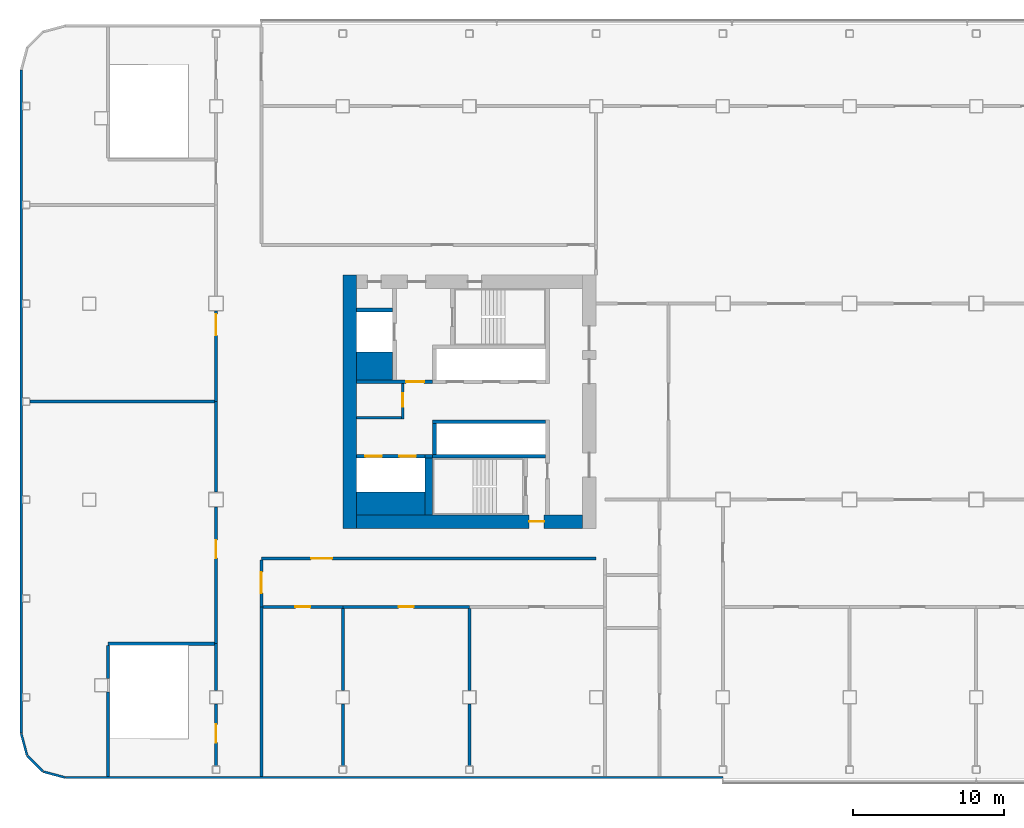
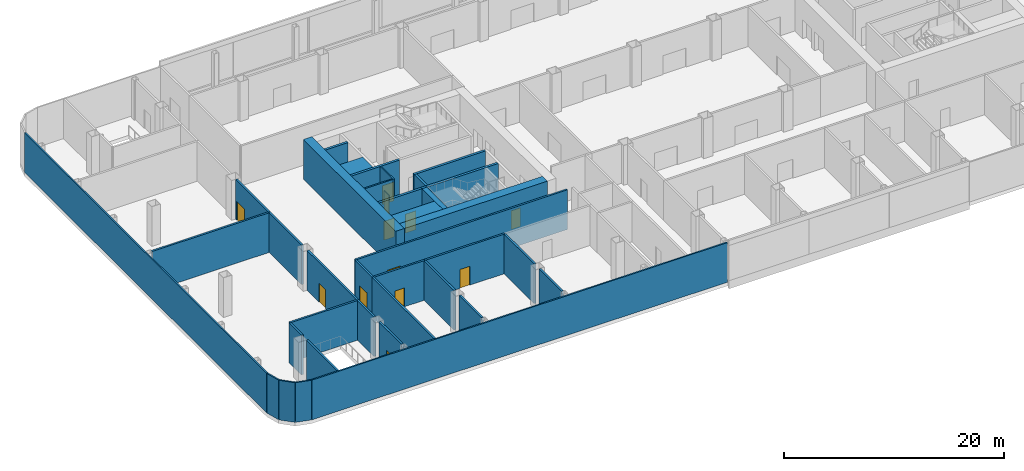
# One storey, part 18 of 53: 37 walls, 12 doors, 12 openings.
"""IFC4 building model written with IfcOpenShell, lengths in metres."""

from ifc_helpers import new_model, si_unit, direction, frame, frame_2d, origin, place, context, subcontext, project, spatial, rectangle, extrude, material, layer, layer_set, type_object, element, fill, save


model = new_model("IFC4")

# Units and contexts
model_context = context("Model", 3, precision=1e-05, world=origin(), true_north=direction((0.0, 1.0)))
body_context = subcontext(model_context, "Body", "Model", "MODEL_VIEW")
ifc_project = project(units=[si_unit("LENGTHUNIT", "METRE"), si_unit("AREAUNIT", "SQUARE_METRE"), si_unit("VOLUMEUNIT", "CUBIC_METRE"), si_unit("PLANEANGLEUNIT", "RADIAN"), si_unit("MASSUNIT", "GRAM", prefix="KILO")], contexts=[model_context])

# Site, building, storey
site_placement = place(None, origin())
site = spatial("IfcSite", under=ifc_project, at=site_placement, CompositionType="ELEMENT")
building_placement = place(site_placement, origin())
building = spatial("IfcBuilding", under=site, at=building_placement, Name="Hakoniwa Tower and Hamabe Station Hall", CompositionType="ELEMENT")
storey_placement = place(building_placement, frame((0.0, 0.0, 15.0)))
storey = spatial("IfcBuildingStorey", under=building, at=storey_placement, Name="L03", CompositionType="ELEMENT", Elevation=15.0)

# Wall, opening, door
ifc_material_1 = material(Name="Gypsum board partition")
ifc_layer_1 = layer(ifc_material_1, 0.14990234375)
ifc_layer_set_1 = layer_set([ifc_layer_1], Name="CORE PARTITION 150 EI 60")
wall_type_1 = type_object("IfcWallType", Name="CORE PARTITION 150 EI 60", PredefinedType="PARTITIONING", material=ifc_layer_set_1)
wall_1_placement = place(storey_placement, frame((-29.625, -1.14990234375, 0.0), z_axis=(0.0, 0.0, 1.0), x_axis=(0.0, 1.0, 0.0)))
wall_1 = element("IfcWall", 1, at=wall_1_placement, inside=storey, type_object=wall_type_1, Name="Core partition PW0 west", PredefinedType="PARTITIONING", context=body_context, shape_type="SweptSolid", body=[
    extrude(rectangle(XDim=2.349853515625, YDim=0.14990234375, at=frame_2d((1.1748046875, 0.0))), origin(), (0.0, 0.0, 1.0), 4.39990234375),
])
opening_1_placement = place(wall_1_placement, frame((0.800048828125, 0.0, 0.0)))
opening_1 = element("IfcOpeningElement", 2, at=opening_1_placement, cuts=wall_1, Name="Opening CD-W-RM1-9", PredefinedType="OPENING", context=body_context, shape_type="SweptSolid", body=[
    extrude(rectangle(XDim=0.89990234375, YDim=2.10009765625, at=frame_2d((0.449951171875, 1.050048828125))), frame((0.0, 0.0849609375, 0.0), z_axis=(0.0, -1.0, 0.0), x_axis=(1.0, 0.0, 0.0)), (0.0, 0.0, 1.0), 0.169921875),
])
ifc_material_2 = material(Name="Steel fire door", Category="steel")
door_type_1 = type_object("IfcDoorType", Name="CORE DOOR 900 FD30", OperationType="NOTDEFINED", PredefinedType="DOOR", material=ifc_material_2)
door_1_placement = place(opening_1_placement, origin())
door_1 = element("IfcDoor", 3, at=door_1_placement, inside=storey, type_object=door_type_1, Name="Store room door", OperationType="SINGLE_SWING_RIGHT", OverallHeight=2.10009765625, OverallWidth=0.89990234375, PredefinedType="DOOR", context=body_context, shape_type="SweptSolid", body=[
    extrude(rectangle(XDim=0.89990234375, YDim=2.10009765625, at=frame_2d((0.449951171875, 1.050048828125))), frame((0.0, 0.02490234375, 0.0), z_axis=(0.0, -1.0, 0.0), x_axis=(1.0, 0.0, 0.0)), (0.0, 0.0, 1.0), 0.050048828125),
])
fill(opening_1, door_1)

# Walls
wall_2_placement = place(storey_placement, frame((-32.699951171875, -1.074951171875, 0.0), z_axis=(0.0, 0.0, 1.0), x_axis=(1.0, 0.0, 0.0)))
element("IfcWall", 4, at=wall_2_placement, inside=storey, type_object=wall_type_1, Name="Core partition PS west", PredefinedType="PARTITIONING", context=body_context, shape_type="SweptSolid", body=[
    extrude(rectangle(XDim=3.0, YDim=0.14990234375, at=frame_2d((1.5, 0.0))), origin(), (0.0, 0.0, 1.0), 4.39990234375),
])
ifc_material_3 = material(Name="Concrete C80", Category="concrete")
ifc_layer_2 = layer(ifc_material_3, 0.89990234375)
ifc_layer_set_2 = layer_set([ifc_layer_2], Name="CORE WALL 900 C80")
wall_type_2 = type_object("IfcWallType", Name="CORE WALL 900 C80", PredefinedType="SHEAR", material=ifc_layer_set_2)
wall_3_placement = place(storey_placement, frame((-33.14990234375, -8.39990234375, 0.0), z_axis=(0.0, 0.0, 1.0), x_axis=(0.0, 1.0, 0.0)))
element("IfcWall", 5, at=wall_3_placement, inside=storey, type_object=wall_type_2, Name="Core wall OUTER west", PredefinedType="SHEAR", context=body_context, shape_type="SweptSolid", body=[
    extrude(rectangle(XDim=16.7998046875, YDim=0.89990234375, at=frame_2d((8.39990234375, 0.0))), origin(), (0.0, 0.0, 1.0), 4.39990234375),
])

# Wall, opening, door
wall_4_placement = place(storey_placement, frame((-32.699951171875, -7.949951171875, 0.0), z_axis=(0.0, 0.0, 1.0), x_axis=(1.0, 0.0, 0.0)))
wall_4 = element("IfcWall", 6, at=wall_4_placement, inside=storey, type_object=wall_type_2, Name="Core wall SOUTH west", PredefinedType="SHEAR", context=body_context, shape_type="SweptSolid", body=[
    extrude(rectangle(XDim=15.0, YDim=0.89990234375, at=frame_2d((7.5, 0.0))), origin(), (0.0, 0.0, 1.0), 4.39990234375),
])
opening_2_placement = place(wall_4_placement, frame((11.449951171875, 0.0, 0.0)))
opening_2 = element("IfcOpeningElement", 7, at=opening_2_placement, cuts=wall_4, Name="Opening CD-W-FS3-10", PredefinedType="OPENING", context=body_context, shape_type="SweptSolid", body=[
    extrude(rectangle(XDim=1.0, YDim=2.10009765625, at=frame_2d((0.5, 1.050048828125))), frame((0.0, 0.4599609375, 0.0), z_axis=(0.0, -1.0, 0.0), x_axis=(1.0, 0.0, 0.0)), (0.0, 0.0, 1.0), 0.919921875),
])
ifc_material_4 = material(Name="Steel fire door", Category="steel")
door_type_2 = type_object("IfcDoorType", Name="CORE DOOR 1000 FD60", OperationType="NOTDEFINED", PredefinedType="DOOR", material=ifc_material_4)
door_2_placement = place(opening_2_placement, origin())
door_2 = element("IfcDoor", 8, at=door_2_placement, inside=storey, type_object=door_type_2, Name="Stair vestibule door", OperationType="SINGLE_SWING_RIGHT", OverallHeight=2.10009765625, OverallWidth=1.0, PredefinedType="DOOR", context=body_context, shape_type="SweptSolid", body=[
    extrude(rectangle(XDim=1.0, YDim=2.10009765625, at=frame_2d((0.5, 1.050048828125))), frame((0.0, 0.02490234375, 0.0), z_axis=(0.0, -1.0, 0.0), x_axis=(1.0, 0.0, 0.0)), (0.0, 0.0, 1.0), 0.050048828125),
])
fill(opening_2, door_2)

# Walls
ifc_material_5 = material(Name="Concrete C80", Category="concrete")
ifc_layer_3 = layer(ifc_material_5, 1.5)
ifc_layer_set_3 = layer_set([ifc_layer_3], Name="CORE WEB WALL 1500 C80")
wall_type_3 = type_object("IfcWallType", Name="CORE WEB WALL 1500 C80", PredefinedType="SHEAR", material=ifc_layer_set_3)
wall_5_placement = place(storey_placement, frame((-32.699951171875, -6.75, 0.0), z_axis=(0.0, 0.0, 1.0), x_axis=(1.0, 0.0, 0.0)))
element("IfcWall", 9, at=wall_5_placement, inside=storey, type_object=wall_type_3, Name="Core wall SER west", PredefinedType="SHEAR", context=body_context, shape_type="SweptSolid", body=[
    extrude(rectangle(XDim=4.550048828125, YDim=1.5, at=frame_2d((2.27490234375, 0.0))), origin(), (0.0, 0.0, 1.0), 4.39990234375),
])
ifc_material_6 = material(Name="Concrete C80", Category="concrete")
ifc_layer_4 = layer(ifc_material_6, 1.85009765625)
ifc_layer_set_4 = layer_set([ifc_layer_4], Name="CORE WEB WALL 1850 C80")
wall_type_4 = type_object("IfcWallType", Name="CORE WEB WALL 1850 C80", PredefinedType="SHEAR", material=ifc_layer_set_4)
wall_6_placement = place(storey_placement, frame((-32.699951171875, 2.375, 0.0), z_axis=(0.0, 0.0, 1.0), x_axis=(1.0, 0.0, 0.0)))
element("IfcWall", 10, at=wall_6_placement, inside=storey, type_object=wall_type_4, Name="Core wall CA west", PredefinedType="SHEAR", context=body_context, shape_type="SweptSolid", body=[
    extrude(rectangle(XDim=2.39990234375, YDim=1.85009765625, at=frame_2d((1.199951171875, 0.0))), origin(), (0.0, 0.0, 1.0), 4.39990234375),
])

# Wall, opening, door
ifc_material_7 = material(Name="Concrete C80", Category="concrete")
ifc_layer_5 = layer(ifc_material_7, 0.25)
ifc_layer_set_5 = layer_set([ifc_layer_5], Name="CORE WEB WALL 250 C80")
wall_type_5 = type_object("IfcWallType", Name="CORE WEB WALL 250 C80", PredefinedType="SHEAR", material=ifc_layer_set_5)
wall_7_placement = place(storey_placement, frame((-32.699951171875, 1.324951171875, 0.0), z_axis=(0.0, 0.0, 1.0), x_axis=(1.0, 0.0, 0.0)))
wall_7 = element("IfcWall", 11, at=wall_7_placement, inside=storey, type_object=wall_type_5, Name="Core wall ELN west", PredefinedType="SHEAR", context=body_context, shape_type="SweptSolid", body=[
    extrude(rectangle(XDim=5.050048828125, YDim=0.25, at=frame_2d((2.52490234375, 0.0))), origin(), (0.0, 0.0, 1.0), 4.39990234375),
])
opening_3_placement = place(wall_7_placement, frame((3.300048828125, 0.0, 0.0)))
opening_3 = element("IfcOpeningElement", 12, at=opening_3_placement, cuts=wall_7, Name="Opening CD-W-FL-12", PredefinedType="OPENING", context=body_context, shape_type="SweptSolid", body=[
    extrude(rectangle(XDim=1.199951171875, YDim=2.10009765625, at=frame_2d((0.60009765625, 1.050048828125))), frame((0.0, 0.135009765625, 0.0), z_axis=(0.0, -1.0, 0.0), x_axis=(1.0, 0.0, 0.0)), (0.0, 0.0, 1.0), 0.27001953125),
])
ifc_material_8 = material(Name="Steel fire door", Category="steel")
door_type_3 = type_object("IfcDoorType", Name="CORE DOOR 1200 FD60", OperationType="DOUBLE_DOOR_SINGLE_SWING", PredefinedType="DOOR", material=ifc_material_8)
door_3_placement = place(opening_3_placement, origin())
door_3 = element("IfcDoor", 13, at=door_3_placement, inside=storey, type_object=door_type_3, Name="Stair vestibule door to the fire-fighting lobby", OperationType="DOUBLE_DOOR_SINGLE_SWING", OverallHeight=2.10009765625, OverallWidth=1.199951171875, PredefinedType="DOOR", context=body_context, shape_type="SweptSolid", body=[
    extrude(rectangle(XDim=1.199951171875, YDim=2.10009765625, at=frame_2d((0.60009765625, 1.050048828125))), frame((0.0, 0.02490234375, 0.0), z_axis=(0.0, -1.0, 0.0), x_axis=(1.0, 0.0, 0.0)), (0.0, 0.0, 1.0), 0.050048828125),
])
fill(opening_3, door_3)

# Walls
wall_8_placement = place(storey_placement, frame((-32.699951171875, 6.074951171875, 0.0), z_axis=(0.0, 0.0, 1.0), x_axis=(1.0, 0.0, 0.0)))
element("IfcWall", 14, at=wall_8_placement, inside=storey, type_object=wall_type_5, Name="Core wall C2 west", PredefinedType="SHEAR", context=body_context, shape_type="SweptSolid", body=[
    extrude(rectangle(XDim=2.39990234375, YDim=0.25, at=frame_2d((1.199951171875, 0.0))), origin(), (0.0, 0.0, 1.0), 4.39990234375),
])
wall_9_placement = place(storey_placement, frame((-27.64990234375, -1.324951171875, 0.0), z_axis=(0.0, 0.0, 1.0), x_axis=(1.0, 0.0, 0.0)))
element("IfcWall", 15, at=wall_9_placement, inside=storey, type_object=wall_type_5, Name="Core wall SF west", PredefinedType="SHEAR", context=body_context, shape_type="SweptSolid", body=[
    extrude(rectangle(XDim=7.5, YDim=0.25, at=frame_2d((3.75, 0.0))), origin(), (0.0, 0.0, 1.0), 4.39990234375),
])
wall_10_placement = place(storey_placement, frame((-27.52490234375, -3.5, 0.0), z_axis=(0.0, 0.0, 1.0), x_axis=(0.0, 1.0, 0.0)))
element("IfcWall", 16, at=wall_10_placement, inside=storey, type_object=wall_type_5, Name="Core wall SE west", PredefinedType="SHEAR", context=body_context, shape_type="SweptSolid", body=[
    extrude(rectangle(XDim=2.050048828125, YDim=0.25, at=frame_2d((1.02490234375, 0.0))), origin(), (0.0, 0.0, 1.0), 4.39990234375),
])
wall_11_placement = place(storey_placement, frame((-27.64990234375, -3.625, 0.0), z_axis=(0.0, 0.0, 1.0), x_axis=(1.0, 0.0, 0.0)))
element("IfcWall", 17, at=wall_11_placement, inside=storey, type_object=wall_type_5, Name="Core wall SR west", PredefinedType="SHEAR", context=body_context, shape_type="SweptSolid", body=[
    extrude(rectangle(XDim=7.5, YDim=0.25, at=frame_2d((3.75, 0.0))), origin(), (0.0, 0.0, 1.0), 4.39990234375),
])

# Wall, openings, doors
wall_12_placement = place(storey_placement, frame((-32.699951171875, -3.625, 0.0), z_axis=(0.0, 0.0, 1.0), x_axis=(1.0, 0.0, 0.0)))
wall_12 = element("IfcWall", 18, at=wall_12_placement, inside=storey, type_object=wall_type_5, Name="Core wall SEF west", PredefinedType="SHEAR", context=body_context, shape_type="SweptSolid", body=[
    extrude(rectangle(XDim=4.550048828125, YDim=0.25, at=frame_2d((2.27490234375, 0.0))), origin(), (0.0, 0.0, 1.0), 4.39990234375),
])
opening_4_placement = place(wall_12_placement, frame((2.85009765625, 0.0, 0.0)))
opening_4 = element("IfcOpeningElement", 19, at=opening_4_placement, cuts=wall_12, Name="Opening LD-SV1", PredefinedType="OPENING", context=body_context, shape_type="SweptSolid", body=[
    extrude(rectangle(XDim=1.10009765625, YDim=2.10009765625, at=frame_2d((0.550048828125, 1.050048828125))), frame((0.0, 0.135009765625, 0.0), z_axis=(0.0, -1.0, 0.0), x_axis=(1.0, 0.0, 0.0)), (0.0, 0.0, 1.0), 0.27001953125),
])
opening_5_placement = place(wall_12_placement, frame((0.60009765625, 0.0, 0.0)))
opening_5 = element("IfcOpeningElement", 20, at=opening_5_placement, cuts=wall_12, Name="Opening LD-SV2", PredefinedType="OPENING", context=body_context, shape_type="SweptSolid", body=[
    extrude(rectangle(XDim=1.10009765625, YDim=2.10009765625, at=frame_2d((0.550048828125, 1.050048828125))), frame((0.0, 0.135009765625, 0.0), z_axis=(0.0, -1.0, 0.0), x_axis=(1.0, 0.0, 0.0)), (0.0, 0.0, 1.0), 0.27001953125),
])
ifc_material_9 = material(Name="Stainless steel SUS304", Category="steel")
door_type_4 = type_object("IfcDoorType", Name="LIFT LANDING DOOR 1100 FD60", OperationType="DOUBLE_DOOR_SLIDING", PredefinedType="DOOR", material=ifc_material_9)
door_4_placement = place(opening_4_placement, origin())
door_4 = element("IfcDoor", 21, at=door_4_placement, inside=storey, type_object=door_type_4, Name="Lift landing door SV1 L03", OperationType="DOUBLE_DOOR_SLIDING", OverallHeight=2.10009765625, OverallWidth=1.10009765625, PredefinedType="DOOR", context=body_context, shape_type="SweptSolid", body=[
    extrude(rectangle(XDim=1.10009765625, YDim=2.10009765625, at=frame_2d((0.550048828125, 1.050048828125))), frame((0.0, 0.02490234375, 0.0), z_axis=(0.0, -1.0, 0.0), x_axis=(1.0, 0.0, 0.0)), (0.0, 0.0, 1.0), 0.050048828125),
])
fill(opening_4, door_4)
door_5_placement = place(opening_5_placement, origin())
door_5 = element("IfcDoor", 22, at=door_5_placement, inside=storey, type_object=door_type_4, Name="Lift landing door SV2 L03", OperationType="DOUBLE_DOOR_SLIDING", OverallHeight=2.10009765625, OverallWidth=1.10009765625, PredefinedType="DOOR", context=body_context, shape_type="SweptSolid", body=[
    extrude(rectangle(XDim=1.10009765625, YDim=2.10009765625, at=frame_2d((0.550048828125, 1.050048828125))), frame((0.0, 0.02490234375, 0.0), z_axis=(0.0, -1.0, 0.0), x_axis=(1.0, 0.0, 0.0)), (0.0, 0.0, 1.0), 0.050048828125),
])
fill(opening_5, door_5)

# Walls
wall_13_placement = place(storey_placement, frame((-28.14990234375, -3.625, 0.0), z_axis=(0.0, 0.0, 1.0), x_axis=(1.0, 0.0, 0.0)))
element("IfcWall", 23, at=wall_13_placement, inside=storey, type_object=wall_type_5, Name="Core wall SRK west", PredefinedType="SHEAR", context=body_context, shape_type="SweptSolid", body=[
    extrude(rectangle(XDim=0.5, YDim=0.25, at=frame_2d((0.25, 0.0))), origin(), (0.0, 0.0, 1.0), 4.39990234375),
])
ifc_material_10 = material(Name="Concrete C80", Category="concrete")
ifc_layer_6 = layer(ifc_material_10, 0.5)
ifc_layer_set_6 = layer_set([ifc_layer_6], Name="CORE WEB WALL 500 C80")
wall_type_6 = type_object("IfcWallType", Name="CORE WEB WALL 500 C80", PredefinedType="SHEAR", material=ifc_layer_set_6)
wall_14_placement = place(storey_placement, frame((-27.89990234375, -7.5, 0.0), z_axis=(0.0, 0.0, 1.0), x_axis=(0.0, 1.0, 0.0)))
element("IfcWall", 24, at=wall_14_placement, inside=storey, type_object=wall_type_6, Name="Core wall SSE west", PredefinedType="SHEAR", context=body_context, shape_type="SweptSolid", body=[
    extrude(rectangle(XDim=3.75, YDim=0.5, at=frame_2d((1.875, 0.0))), origin(), (0.0, 0.0, 1.0), 4.39990234375),
])
ifc_material_11 = material(Name="Dark glass-faced aluminium panel", Category="aluminium")
ifc_layer_7 = layer(ifc_material_11, 0.14990234375)
ifc_layer_set_7 = layer_set([ifc_layer_7], Name="EXTERNAL WALL 150 EI 60")
wall_type_7 = type_object("IfcWallType", Name="EXTERNAL WALL 150 EI 60", PredefinedType="STANDARD", material=ifc_layer_set_7)
wall_15_placement = place(storey_placement, frame((-8.39990234375, -24.925048828125, 0.0), z_axis=(0.0, 0.0, 1.0), x_axis=(-1.0, 0.0, 0.0)))
element("IfcWall", 25, at=wall_15_placement, inside=storey, type_object=wall_type_7, Name="External wall L03 4-2", PredefinedType="STANDARD", context=body_context, shape_type="SweptSolid", body=[
    extrude(rectangle(XDim=43.580322265625, YDim=0.14990234375, at=frame_2d((21.7900390625, 0.0))), origin(), (0.0, 0.0, 1.0), 4.39990234375),
])
wall_16_placement = place(storey_placement, frame((-51.999755859375, -24.92236328125, 0.0), z_axis=(0.0, 0.0, 1.0), x_axis=(-0.965946591624, 0.258741535379, 0.0)))
element("IfcWall", 26, at=wall_16_placement, inside=storey, type_object=wall_type_7, Name="External wall L03 5-1", PredefinedType="STANDARD", context=body_context, shape_type="SweptSolid", body=[
    extrude(rectangle(XDim=1.49267578125, YDim=0.14990234375, at=frame_2d((0.746337890625, 0.0))), origin(), (0.0, 0.0, 1.0), 4.39990234375),
])
wall_17_placement = place(storey_placement, frame((-53.475341796875, -24.5166015625, 0.0), z_axis=(0.0, 0.0, 1.0), x_axis=(-0.707106781187, 0.707106781187, 0.0)))
element("IfcWall", 27, at=wall_17_placement, inside=storey, type_object=wall_type_7, Name="External wall L03 6-1", PredefinedType="STANDARD", context=body_context, shape_type="SweptSolid", body=[
    extrude(rectangle(XDim=1.47265625, YDim=0.14990234375, at=frame_2d((0.736328125, 0.0))), origin(), (0.0, 0.0, 1.0), 4.39990234375),
])
wall_18_placement = place(storey_placement, frame((-54.5361328125, -23.441650390625, 0.0), z_axis=(0.0, 0.0, 1.0), x_axis=(-0.258741535379, 0.965946591624, 0.0)))
element("IfcWall", 28, at=wall_18_placement, inside=storey, type_object=wall_type_7, Name="External wall L03 7-1", PredefinedType="STANDARD", context=body_context, shape_type="SweptSolid", body=[
    extrude(rectangle(XDim=1.49267578125, YDim=0.14990234375, at=frame_2d((0.746337890625, 0.0))), origin(), (0.0, 0.0, 1.0), 4.39990234375),
])
wall_19_placement = place(storey_placement, frame((-54.925048828125, -21.980224609375, 0.0), z_axis=(0.0, 0.0, 1.0), x_axis=(0.0, 1.0, 0.0)))
element("IfcWall", 29, at=wall_19_placement, inside=storey, type_object=wall_type_7, Name="External wall L03 8-1", PredefinedType="STANDARD", context=body_context, shape_type="SweptSolid", body=[
    extrude(rectangle(XDim=43.96044921875, YDim=0.14990234375, at=frame_2d((21.980224609375, 0.0))), origin(), (0.0, 0.0, 1.0), 4.39990234375),
])

# Wall, opening, door
ifc_material_12 = material(Name="Fire-rated gypsum board partition")
ifc_layer_8 = layer(ifc_material_12, 0.199951171875)
ifc_layer_set_8 = layer_set([ifc_layer_8], Name="FIRE PARTITION 200 EI 60")
wall_type_8 = type_object("IfcWallType", Name="FIRE PARTITION 200 EI 60", PredefinedType="PARTITIONING", material=ifc_layer_set_8)
wall_20_placement = place(storey_placement, frame((-33.60009765625, -13.60009765625, 0.0), z_axis=(0.0, 0.0, 1.0), x_axis=(-1.0, 0.0, 0.0)))
wall_20 = element("IfcWall", 30, at=wall_20_placement, inside=storey, type_object=wall_type_8, Name="Wall Spa Corridor / Treatment Room 1", PredefinedType="PARTITIONING", context=body_context, shape_type="SweptSolid", body=[
    extrude(rectangle(XDim=5.2998046875, YDim=0.199951171875, at=frame_2d((2.64990234375, 0.0))), origin(), (0.0, 0.0, 1.0), 4.39990234375),
])
opening_6_placement = place(wall_20_placement, frame((2.14990234375, 0.0, 0.0)))
opening_6 = element("IfcOpeningElement", 31, at=opening_6_placement, cuts=wall_20, Name="Opening PD-L03-022", PredefinedType="OPENING", context=body_context, shape_type="SweptSolid", body=[
    extrude(rectangle(XDim=1.0, YDim=2.10009765625, at=frame_2d((0.5, 1.050048828125))), frame((0.0, 0.10986328125, 0.0), z_axis=(0.0, -1.0, 0.0), x_axis=(1.0, 0.0, 0.0)), (0.0, 0.0, 1.0), 0.219970703125),
])
ifc_material_13 = material(Name="Timber door leaf", Category="wood")
door_type_5 = type_object("IfcDoorType", Name="SINGLE DOOR 1000X2100", OperationType="SINGLE_SWING_LEFT", PredefinedType="DOOR", material=ifc_material_13)
door_6_placement = place(opening_6_placement, origin())
door_6 = element("IfcDoor", 32, at=door_6_placement, inside=storey, type_object=door_type_5, Name="Door PD-L03-022", OperationType="SINGLE_SWING_LEFT", OverallHeight=2.10009765625, OverallWidth=1.0, PredefinedType="DOOR", context=body_context, shape_type="SweptSolid", body=[
    extrude(rectangle(XDim=1.0, YDim=2.10009765625, at=frame_2d((0.5, 1.050048828125))), frame((0.0, 0.02490234375, 0.0), z_axis=(0.0, -1.0, 0.0), x_axis=(1.0, 0.0, 0.0)), (0.0, 0.0, 1.0), 0.050048828125),
])
fill(opening_6, door_6)

wall_21_placement = place(storey_placement, frame((-25.199951171875, -13.60009765625, 0.0), z_axis=(0.0, 0.0, 1.0), x_axis=(-1.0, 0.0, 0.0)))
wall_21 = element("IfcWall", 33, at=wall_21_placement, inside=storey, type_object=wall_type_8, Name="Wall Spa Corridor / Treatment Room 2", PredefinedType="PARTITIONING", context=body_context, shape_type="SweptSolid", body=[
    extrude(rectangle(XDim=8.400146484375, YDim=0.199951171875, at=frame_2d((4.2001953125, 0.0))), origin(), (0.0, 0.0, 1.0), 4.39990234375),
])
opening_7_placement = place(wall_21_placement, frame((3.699951171875, 0.0, 0.0)))
opening_7 = element("IfcOpeningElement", 34, at=opening_7_placement, cuts=wall_21, Name="Opening PD-L03-023", PredefinedType="OPENING", context=body_context, shape_type="SweptSolid", body=[
    extrude(rectangle(XDim=1.0, YDim=2.10009765625, at=frame_2d((0.5, 1.050048828125))), frame((0.0, 0.10986328125, 0.0), z_axis=(0.0, -1.0, 0.0), x_axis=(1.0, 0.0, 0.0)), (0.0, 0.0, 1.0), 0.219970703125),
])
door_7_placement = place(opening_7_placement, origin())
door_7 = element("IfcDoor", 35, at=door_7_placement, inside=storey, type_object=door_type_5, Name="Door PD-L03-023", OperationType="SINGLE_SWING_RIGHT", OverallHeight=2.10009765625, OverallWidth=1.0, PredefinedType="DOOR", context=body_context, shape_type="SweptSolid", body=[
    extrude(rectangle(XDim=1.0, YDim=2.10009765625, at=frame_2d((0.5, 1.050048828125))), frame((0.0, 0.02490234375, 0.0), z_axis=(0.0, -1.0, 0.0), x_axis=(1.0, 0.0, 0.0)), (0.0, 0.0, 1.0), 0.050048828125),
])
fill(opening_7, door_7)

# Walls
wall_22_placement = place(storey_placement, frame((-54.35009765625, 0.0, 0.0), z_axis=(0.0, 0.0, 1.0), x_axis=(1.0, 0.0, 0.0)))
element("IfcWall", 36, at=wall_22_placement, inside=storey, type_object=wall_type_8, Name="Wall Staff Room / Banquet Store", PredefinedType="PARTITIONING", context=body_context, shape_type="SweptSolid", body=[
    extrude(rectangle(XDim=12.25, YDim=0.199951171875, at=frame_2d((6.125, 0.0))), origin(), (0.0, 0.0, 1.0), 4.39990234375),
])
wall_23_placement = place(storey_placement, frame((-33.60009765625, -13.699951171875, 0.0), z_axis=(0.0, 0.0, 1.0), x_axis=(0.0, -1.0, 0.0)))
element("IfcWall", 37, at=wall_23_placement, inside=storey, type_object=wall_type_8, Name="Wall Treatment Room 1 / Treatment Room 2", PredefinedType="PARTITIONING", context=body_context, shape_type="SweptSolid", body=[
    extrude(rectangle(XDim=5.449951171875, YDim=0.199951171875, at=frame_2d((2.72509765625, 0.0))), origin(), (0.0, 0.0, 1.0), 4.39990234375),
])
wall_24_placement = place(storey_placement, frame((-33.60009765625, -20.050048828125, 0.0), z_axis=(0.0, 0.0, 1.0), x_axis=(0.0, -1.0, 0.0)))
element("IfcWall", 38, at=wall_24_placement, inside=storey, type_object=wall_type_8, Name="Wall Treatment Room 1 / Treatment Room 2", PredefinedType="PARTITIONING", context=body_context, shape_type="SweptSolid", body=[
    extrude(rectangle(XDim=4.099853515625, YDim=0.199951171875, at=frame_2d((2.0498046875, 0.0))), origin(), (0.0, 0.0, 1.0), 4.39990234375),
])
wall_25_placement = place(storey_placement, frame((-25.199951171875, -13.699951171875, 0.0), z_axis=(0.0, 0.0, 1.0), x_axis=(0.0, -1.0, 0.0)))
element("IfcWall", 39, at=wall_25_placement, inside=storey, type_object=wall_type_8, Name="Wall Treatment Room 2 / Treatment Room 3", PredefinedType="PARTITIONING", context=body_context, shape_type="SweptSolid", body=[
    extrude(rectangle(XDim=5.449951171875, YDim=0.199951171875, at=frame_2d((2.72509765625, 0.0))), origin(), (0.0, 0.0, 1.0), 4.39990234375),
])
wall_26_placement = place(storey_placement, frame((-25.199951171875, -20.050048828125, 0.0), z_axis=(0.0, 0.0, 1.0), x_axis=(0.0, -1.0, 0.0)))
element("IfcWall", 40, at=wall_26_placement, inside=storey, type_object=wall_type_8, Name="Wall Treatment Room 2 / Treatment Room 3", PredefinedType="PARTITIONING", context=body_context, shape_type="SweptSolid", body=[
    extrude(rectangle(XDim=4.099853515625, YDim=0.199951171875, at=frame_2d((2.0498046875, 0.0))), origin(), (0.0, 0.0, 1.0), 4.39990234375),
])

# Wall, opening, door
wall_27_placement = place(storey_placement, frame((-42.0, 0.0, 0.0), z_axis=(0.0, 0.0, 1.0), x_axis=(0.0, 1.0, 0.0)))
wall_27 = element("IfcWall", 41, at=wall_27_placement, inside=storey, type_object=wall_type_8, Name="Wall West Service Corridor / Banquet Store", PredefinedType="PARTITIONING", context=body_context, shape_type="SweptSolid", body=[
    extrude(rectangle(XDim=6.0, YDim=0.199951171875, at=frame_2d((3.0, 0.0))), origin(), (0.0, 0.0, 1.0), 4.39990234375),
])
opening_8_placement = place(wall_27_placement, frame((4.39990234375, 0.0, 0.0)))
opening_8 = element("IfcOpeningElement", 42, at=opening_8_placement, cuts=wall_27, Name="Opening PD-L03-037", PredefinedType="OPENING", context=body_context, shape_type="SweptSolid", body=[
    extrude(rectangle(XDim=1.39990234375, YDim=2.10009765625, at=frame_2d((0.699951171875, 1.050048828125))), frame((0.0, 0.10986328125, 0.0), z_axis=(0.0, -1.0, 0.0), x_axis=(1.0, 0.0, 0.0)), (0.0, 0.0, 1.0), 0.219970703125),
])
ifc_material_14 = material(Name="Steel fire door", Category="steel")
door_type_6 = type_object("IfcDoorType", Name="FIRE DOOR 1400X2100 FD60", OperationType="SINGLE_SWING_LEFT", PredefinedType="DOOR", material=ifc_material_14)
door_8_placement = place(opening_8_placement, origin())
door_8 = element("IfcDoor", 43, at=door_8_placement, inside=storey, type_object=door_type_6, Name="Door PD-L03-037", OperationType="SINGLE_SWING_LEFT", OverallHeight=2.10009765625, OverallWidth=1.39990234375, PredefinedType="DOOR", context=body_context, shape_type="SweptSolid", body=[
    extrude(rectangle(XDim=1.39990234375, YDim=2.10009765625, at=frame_2d((0.699951171875, 1.050048828125))), frame((0.0, 0.02490234375, 0.0), z_axis=(0.0, -1.0, 0.0), x_axis=(1.0, 0.0, 0.0)), (0.0, 0.0, 1.0), 0.050048828125),
])
fill(opening_8, door_8)

wall_28_placement = place(storey_placement, frame((-39.0, -10.5, 0.0), z_axis=(0.0, 0.0, 1.0), x_axis=(0.0, -1.0, 0.0)))
wall_28 = element("IfcWall", 44, at=wall_28_placement, inside=storey, type_object=wall_type_8, Name="Wall West Service Corridor / Spa Corridor", PredefinedType="PARTITIONING", context=body_context, shape_type="SweptSolid", body=[
    extrude(rectangle(XDim=3.10009765625, YDim=0.199951171875, at=frame_2d((1.550048828125, 0.0))), origin(), (0.0, 0.0, 1.0), 4.39990234375),
])
opening_9_placement = place(wall_28_placement, frame((0.800048828125, 0.0, 0.0)))
opening_9 = element("IfcOpeningElement", 45, at=opening_9_placement, cuts=wall_28, Name="Opening PD-L03-025", PredefinedType="OPENING", context=body_context, shape_type="SweptSolid", body=[
    extrude(rectangle(XDim=1.39990234375, YDim=2.10009765625, at=frame_2d((0.699951171875, 1.050048828125))), frame((0.0, 0.10986328125, 0.0), z_axis=(0.0, -1.0, 0.0), x_axis=(1.0, 0.0, 0.0)), (0.0, 0.0, 1.0), 0.219970703125),
])
door_9_placement = place(opening_9_placement, origin())
door_9 = element("IfcDoor", 46, at=door_9_placement, inside=storey, type_object=door_type_6, Name="Door PD-L03-025", OperationType="SINGLE_SWING_RIGHT", OverallHeight=2.10009765625, OverallWidth=1.39990234375, PredefinedType="DOOR", context=body_context, shape_type="SweptSolid", body=[
    extrude(rectangle(XDim=1.39990234375, YDim=2.10009765625, at=frame_2d((0.699951171875, 1.050048828125))), frame((0.0, 0.02490234375, 0.0), z_axis=(0.0, -1.0, 0.0), x_axis=(1.0, 0.0, 0.0)), (0.0, 0.0, 1.0), 0.050048828125),
])
fill(opening_9, door_9)

wall_29_placement = place(storey_placement, frame((-16.800048828125, -10.39990234375, 0.0), z_axis=(0.0, 0.0, 1.0), x_axis=(-1.0, 0.0, 0.0)))
wall_29 = element("IfcWall", 47, at=wall_29_placement, inside=storey, type_object=wall_type_8, Name="Wall West Service Corridor / Spa Corridor", PredefinedType="PARTITIONING", context=body_context, shape_type="SweptSolid", body=[
    extrude(rectangle(XDim=22.199951171875, YDim=0.199951171875, at=frame_2d((11.10009765625, 0.0))), origin(), (0.0, 0.0, 1.0), 4.39990234375),
])
opening_10_placement = place(wall_29_placement, frame((17.5, 0.0, 0.0)))
opening_10 = element("IfcOpeningElement", 48, at=opening_10_placement, cuts=wall_29, Name="Opening PD-L03-021", PredefinedType="OPENING", context=body_context, shape_type="SweptSolid", body=[
    extrude(rectangle(XDim=1.39990234375, YDim=2.10009765625, at=frame_2d((0.699951171875, 1.050048828125))), frame((0.0, 0.10986328125, 0.0), z_axis=(0.0, -1.0, 0.0), x_axis=(1.0, 0.0, 0.0)), (0.0, 0.0, 1.0), 0.219970703125),
])
door_10_placement = place(opening_10_placement, origin())
door_10 = element("IfcDoor", 49, at=door_10_placement, inside=storey, type_object=door_type_6, Name="Door PD-L03-021", OperationType="SINGLE_SWING_RIGHT", OverallHeight=2.10009765625, OverallWidth=1.39990234375, PredefinedType="DOOR", context=body_context, shape_type="SweptSolid", body=[
    extrude(rectangle(XDim=1.39990234375, YDim=2.10009765625, at=frame_2d((0.699951171875, 1.050048828125))), frame((0.0, 0.02490234375, 0.0), z_axis=(0.0, -1.0, 0.0), x_axis=(1.0, 0.0, 0.0)), (0.0, 0.0, 1.0), 0.050048828125),
])
fill(opening_10, door_10)

wall_30_placement = place(storey_placement, frame((-42.0, -16.050048828125, 0.0), z_axis=(0.0, 0.0, 1.0), x_axis=(0.0, 1.0, 0.0)))
wall_30 = element("IfcWall", 50, at=wall_30_placement, inside=storey, type_object=wall_type_8, Name="Wall West Service Corridor / Staff Room", PredefinedType="PARTITIONING", context=body_context, shape_type="SweptSolid", body=[
    extrude(rectangle(XDim=9.050048828125, YDim=0.199951171875, at=frame_2d((4.52490234375, 0.0))), origin(), (0.0, 0.0, 1.0), 4.39990234375),
])
opening_11_placement = place(wall_30_placement, frame((5.675048828125, 0.0, 0.0)))
opening_11 = element("IfcOpeningElement", 51, at=opening_11_placement, cuts=wall_30, Name="Opening PD-L03-036", PredefinedType="OPENING", context=body_context, shape_type="SweptSolid", body=[
    extrude(rectangle(XDim=1.199951171875, YDim=2.10009765625, at=frame_2d((0.60009765625, 1.050048828125))), frame((0.0, 0.10986328125, 0.0), z_axis=(0.0, -1.0, 0.0), x_axis=(1.0, 0.0, 0.0)), (0.0, 0.0, 1.0), 0.219970703125),
])
ifc_material_15 = material(Name="Steel fire door", Category="steel")
door_type_7 = type_object("IfcDoorType", Name="FIRE DOOR 1200X2100 FD60", OperationType="SINGLE_SWING_LEFT", PredefinedType="DOOR", material=ifc_material_15)
door_11_placement = place(opening_11_placement, origin())
door_11 = element("IfcDoor", 52, at=door_11_placement, inside=storey, type_object=door_type_7, Name="Door PD-L03-036", OperationType="SINGLE_SWING_RIGHT", OverallHeight=2.10009765625, OverallWidth=1.199951171875, PredefinedType="DOOR", context=body_context, shape_type="SweptSolid", body=[
    extrude(rectangle(XDim=1.199951171875, YDim=2.10009765625, at=frame_2d((0.60009765625, 1.050048828125))), frame((0.0, 0.02490234375, 0.0), z_axis=(0.0, -1.0, 0.0), x_axis=(1.0, 0.0, 0.0)), (0.0, 0.0, 1.0), 0.050048828125),
])
fill(opening_11, door_11)

# Walls
wall_31_placement = place(storey_placement, frame((-42.0, -6.0, 0.0), z_axis=(0.0, 0.0, 1.0), x_axis=(0.0, 1.0, 0.0)))
element("IfcWall", 53, at=wall_31_placement, inside=storey, type_object=wall_type_8, Name="Wall West Service Corridor / Staff Room", PredefinedType="PARTITIONING", context=body_context, shape_type="SweptSolid", body=[
    extrude(rectangle(XDim=6.0, YDim=0.199951171875, at=frame_2d((3.0, 0.0))), origin(), (0.0, 0.0, 1.0), 4.39990234375),
])
wall_32_placement = place(storey_placement, frame((-39.0, -13.60009765625, 0.0), z_axis=(0.0, 0.0, 1.0), x_axis=(0.0, -1.0, 0.0)))
element("IfcWall", 54, at=wall_32_placement, inside=storey, type_object=wall_type_8, Name="Wall West Service Corridor / Treatment Room 1", PredefinedType="PARTITIONING", context=body_context, shape_type="SweptSolid", body=[
    extrude(rectangle(XDim=11.25, YDim=0.199951171875, at=frame_2d((5.625, 0.0))), origin(), (0.0, 0.0, 1.0), 4.39990234375),
])
ifc_material_16 = material(Name="Concrete C40", Category="concrete")
ifc_layer_9 = layer(ifc_material_16, 0.199951171875)
ifc_layer_set_9 = layer_set([ifc_layer_9], Name="RC WALL 200 EI 60 C40")
wall_type_9 = type_object("IfcWallType", Name="RC WALL 200 EI 60 C40", PredefinedType="SHEAR", material=ifc_layer_set_9)
wall_33_placement = place(storey_placement, frame((-49.14990234375, -24.85009765625, 0.0), z_axis=(0.0, 0.0, 1.0), x_axis=(0.0, 1.0, 0.0)))
element("IfcWall", 55, at=wall_33_placement, inside=storey, type_object=wall_type_9, Name="Wall Escape Stair PS4 / Staff Room", PredefinedType="SHEAR", context=body_context, shape_type="SweptSolid", body=[
    extrude(rectangle(XDim=5.596923828125, YDim=0.199951171875, at=frame_2d((2.79833984375, 0.0))), origin(), (0.0, 0.0, 1.0), 4.39990234375),
])
wall_34_placement = place(storey_placement, frame((-49.14990234375, -18.35302734375, 0.0), z_axis=(0.0, 0.0, 1.0), x_axis=(0.0, 1.0, 0.0)))
element("IfcWall", 56, at=wall_34_placement, inside=storey, type_object=wall_type_9, Name="Wall Escape Stair PS4 / Staff Room", PredefinedType="SHEAR", context=body_context, shape_type="SweptSolid", body=[
    extrude(rectangle(XDim=2.203125, YDim=0.199951171875, at=frame_2d((1.1015625, 0.0))), origin(), (0.0, 0.0, 1.0), 4.39990234375),
])
wall_35_placement = place(storey_placement, frame((-49.14990234375, -16.050048828125, 0.0), z_axis=(0.0, 0.0, 1.0), x_axis=(1.0, 0.0, 0.0)))
element("IfcWall", 57, at=wall_35_placement, inside=storey, type_object=wall_type_9, Name="Wall Escape Stair PS4 / Staff Room", PredefinedType="SHEAR", context=body_context, shape_type="SweptSolid", body=[
    extrude(rectangle(XDim=7.0498046875, YDim=0.199951171875, at=frame_2d((3.52490234375, 0.0))), origin(), (0.0, 0.0, 1.0), 4.39990234375),
])
wall_36_placement = place(storey_placement, frame((-42.0, -16.050048828125, 0.0), z_axis=(0.0, 0.0, 1.0), x_axis=(0.0, -1.0, 0.0)))
element("IfcWall", 58, at=wall_36_placement, inside=storey, type_object=wall_type_9, Name="Wall Escape Stair PS4 / West Service Corridor", PredefinedType="SHEAR", context=body_context, shape_type="SweptSolid", body=[
    extrude(rectangle(XDim=3.099853515625, YDim=0.199951171875, at=frame_2d((1.5498046875, 0.0))), origin(), (0.0, 0.0, 1.0), 4.39990234375),
])

# Wall, opening, door
wall_37_placement = place(storey_placement, frame((-42.0, -20.050048828125, 0.0), z_axis=(0.0, 0.0, 1.0), x_axis=(0.0, -1.0, 0.0)))
wall_37 = element("IfcWall", 59, at=wall_37_placement, inside=storey, type_object=wall_type_9, Name="Wall Escape Stair PS4 / West Service Corridor", PredefinedType="SHEAR", context=body_context, shape_type="SweptSolid", body=[
    extrude(rectangle(XDim=4.099853515625, YDim=0.199951171875, at=frame_2d((2.0498046875, 0.0))), origin(), (0.0, 0.0, 1.0), 4.39990234375),
])
opening_12_placement = place(wall_37_placement, frame((1.35009765625, 0.0, 0.0)))
opening_12 = element("IfcOpeningElement", 60, at=opening_12_placement, cuts=wall_37, Name="Opening PD-L03-040", PredefinedType="OPENING", context=body_context, shape_type="SweptSolid", body=[
    extrude(rectangle(XDim=1.199951171875, YDim=2.10009765625, at=frame_2d((0.60009765625, 1.050048828125))), frame((0.0, 0.10986328125, 0.0), z_axis=(0.0, -1.0, 0.0), x_axis=(1.0, 0.0, 0.0)), (0.0, 0.0, 1.0), 0.219970703125),
])
door_12_placement = place(opening_12_placement, origin())
door_12 = element("IfcDoor", 61, at=door_12_placement, inside=storey, type_object=door_type_7, Name="Escape stair door PS4", OperationType="SINGLE_SWING_RIGHT", OverallHeight=2.10009765625, OverallWidth=1.199951171875, PredefinedType="DOOR", context=body_context, shape_type="SweptSolid", body=[
    extrude(rectangle(XDim=1.199951171875, YDim=2.10009765625, at=frame_2d((0.60009765625, 1.050048828125))), frame((0.0, 0.02490234375, 0.0), z_axis=(0.0, -1.0, 0.0), x_axis=(1.0, 0.0, 0.0)), (0.0, 0.0, 1.0), 0.050048828125),
])
fill(opening_12, door_12)

save(model, "model.ifc")
